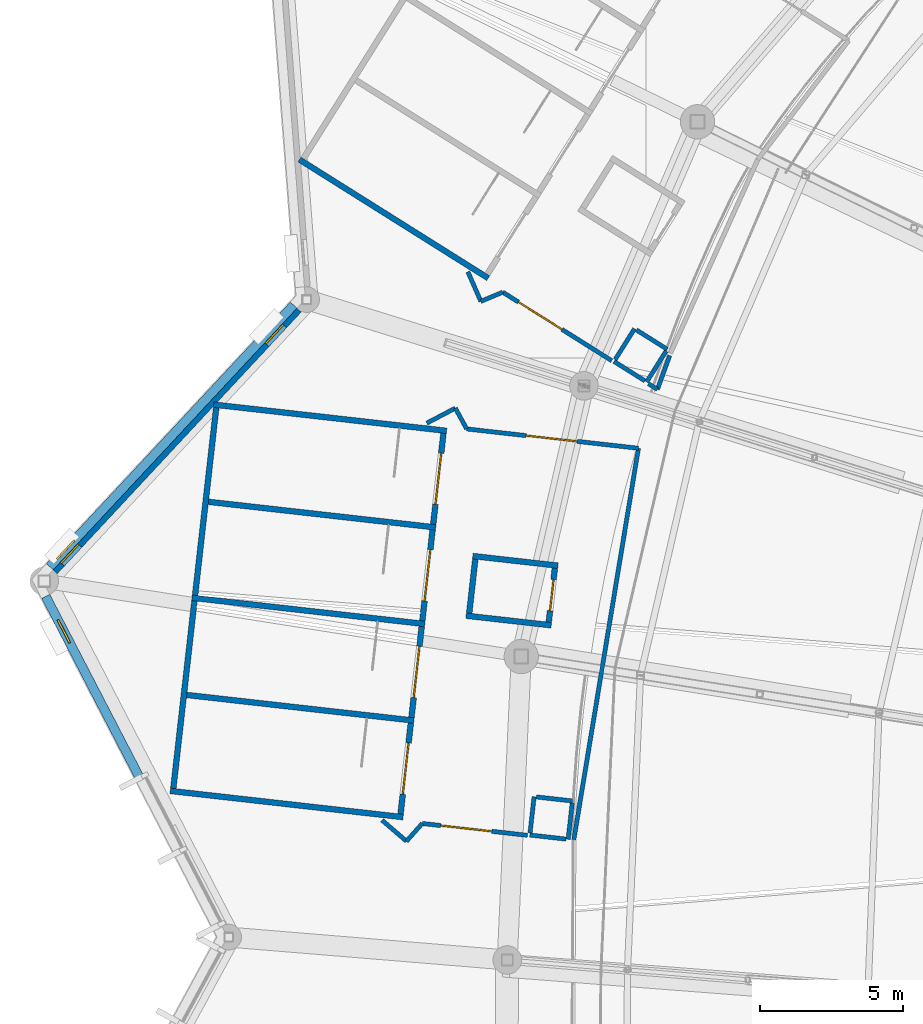
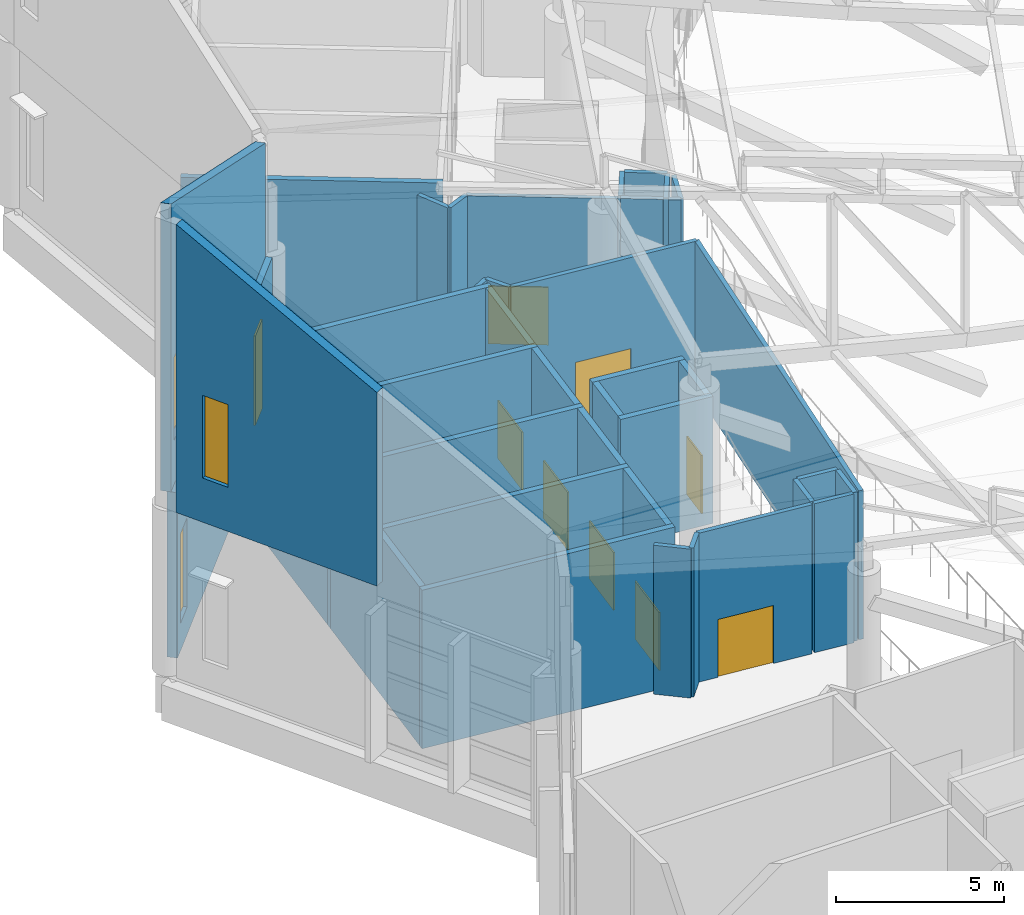
# One storey, part 262 of 344: 39 walls, 8 doors, 4 windows, 12 openings.
"""IFC4 building model written with IfcOpenShell, lengths in metres."""

from ifc_helpers import new_model, si_unit, direction, frame, frame_2d, origin, place, context, subcontext, project, spatial, polyline, rectangle, outline, extrude, material, layer, layer_set, type_object, element, fill, save


model = new_model("IFC4")

# Units and contexts
model_context = context("Model", 3, precision=1e-05, world=origin(), true_north=direction((0.0, 1.0)))
body_context = subcontext(model_context, "Body", "Model", "MODEL_VIEW")
ifc_project = project(units=[si_unit("LENGTHUNIT", "METRE"), si_unit("AREAUNIT", "SQUARE_METRE"), si_unit("VOLUMEUNIT", "CUBIC_METRE"), si_unit("PLANEANGLEUNIT", "RADIAN"), si_unit("MASSUNIT", "GRAM", prefix="KILO")], contexts=[model_context])

# Site, building, storey
site_placement = place(None, origin())
site = spatial("IfcSite", under=ifc_project, at=site_placement, CompositionType="ELEMENT")
building_placement = place(site_placement, origin())
building = spatial("IfcBuilding", under=site, at=building_placement, Name="Meseta Stadium", CompositionType="ELEMENT")
storey_placement = place(building_placement, frame((0.0, 0.0, 24.0)))
storey = spatial("IfcBuildingStorey", under=building, at=storey_placement, Name="L04", CompositionType="ELEMENT", Elevation=24.0)

# Walls
ifc_material_1 = material(Name="Concrete C40/50", Category="concrete")
ifc_layer_1 = layer(ifc_material_1, 0.199951171875)
ifc_layer_set_1 = layer_set([ifc_layer_1], Name="Core divider wall 200")
wall_type_1 = type_object("IfcWallType", Name="Core divider wall 200", PredefinedType="SHEAR", material=ifc_layer_set_1)
wall_1_placement = place(storey_placement, frame((-95.503662109375, 58.999267578125, 0.0), z_axis=(0.0, 0.0, 1.0), x_axis=(0.993710792168, -0.111977058046, 0.0)))
element("IfcWall", 1, at=wall_1_placement, inside=storey, type_object=wall_type_1, Name="Core 15 L04 stair A divider wall", PredefinedType="SHEAR", context=body_context, shape_type="SweptSolid", body=[
    extrude(rectangle(XDim=8.199951171875, YDim=0.199951171875, at=frame_2d((4.10009765625, 0.0))), origin(), (0.0, 0.0, 1.0), 5.75),
])
wall_2_placement = place(storey_placement, frame((-96.264892578125, 52.241943359375, 0.0), z_axis=(0.0, 0.0, 1.0), x_axis=(0.993713731549, -0.111950970206, 0.0)))
element("IfcWall", 2, at=wall_2_placement, inside=storey, type_object=wall_type_1, Name="Core 15 L04 stair B divider wall", PredefinedType="SHEAR", context=body_context, shape_type="SweptSolid", body=[
    extrude(rectangle(XDim=8.19970703125, YDim=0.199951171875, at=frame_2d((4.099853515625, 0.0))), origin(), (0.0, 0.0, 1.0), 5.75),
])
ifc_material_2 = material(Name="Concrete C40/50", Category="concrete")
ifc_layer_2 = layer(ifc_material_2, 0.199951171875)
ifc_layer_set_2 = layer_set([ifc_layer_2], Name="Core shaft wall 200")
wall_type_2 = type_object("IfcWallType", Name="Core shaft wall 200", PredefinedType="SHEAR", material=ifc_layer_set_2)
wall_3_placement = place(storey_placement, frame((-92.123291015625, 70.9501953125, 0.0), z_axis=(0.0, 0.0, 1.0), x_axis=(0.846722763703, -0.532034361135, 0.0)))
element("IfcWall", 3, at=wall_3_placement, inside=storey, type_object=wall_type_2, Name="Core 14 L04 stair wall B-side", PredefinedType="SHEAR", context=body_context, shape_type="SweptSolid", body=[
    extrude(rectangle(XDim=7.800048828125, YDim=0.199951171875, at=frame_2d((3.89990234375, 0.0))), origin(), (0.0, 0.0, 1.0), 5.75),
])
wall_4_placement = place(storey_placement, frame((-95.123046875, 62.3779296875, 0.0), z_axis=(0.0, 0.0, 1.0), x_axis=(0.993710792168, -0.111977058046, 0.0)))
element("IfcWall", 4, at=wall_4_placement, inside=storey, type_object=wall_type_2, Name="Core 15 L04 stair wall A-side", PredefinedType="SHEAR", context=body_context, shape_type="SweptSolid", body=[
    extrude(rectangle(XDim=8.199951171875, YDim=0.199951171875, at=frame_2d((4.10009765625, 0.0))), origin(), (0.0, 0.0, 1.0), 5.75),
])
wall_5_placement = place(storey_placement, frame((-95.884521484375, 55.62060546875, 0.0), z_axis=(0.0, 0.0, 1.0), x_axis=(0.993711165474, -0.111973745194, 0.0)))
element("IfcWall", 5, at=wall_5_placement, inside=storey, type_object=wall_type_2, Name="Core 15 L04 stair wall shared", PredefinedType="SHEAR", context=body_context, shape_type="SweptSolid", body=[
    extrude(rectangle(XDim=8.2001953125, YDim=0.199951171875, at=frame_2d((4.10009765625, 0.0))), origin(), (0.0, 0.0, 1.0), 5.75),
])
wall_6_placement = place(storey_placement, frame((-96.645751953125, 48.86328125, 0.0), z_axis=(0.0, 0.0, 1.0), x_axis=(0.993714104693, -0.111947658007, 0.0)))
element("IfcWall", 6, at=wall_6_placement, inside=storey, type_object=wall_type_2, Name="Core 15 L04 stair wall B-side", PredefinedType="SHEAR", context=body_context, shape_type="SweptSolid", body=[
    extrude(rectangle(XDim=8.199951171875, YDim=0.199951171875, at=frame_2d((4.10009765625, 0.0))), origin(), (0.0, 0.0, 1.0), 5.75),
])
for number, where, z_axis, x_axis, name in (
    (7, (-95.034912109375, 62.267333984375, 0.0), (0.0, 0.0, 1.0), (-0.111933579504, -0.993715690617, 0.0), "Core 15 L04 stair A outer end wall"),
    (8, (-95.796142578125, 55.510009765625, 0.0), (0.0, 0.0, 1.0), (-0.111970106426, -0.993711575492, 0.0), "Core 15 L04 stair B outer end wall"),
):
    element("IfcWall", number, at=place(storey_placement, frame(where, z_axis=z_axis, x_axis=x_axis)), inside=storey, type_object=wall_type_2, Name=name, PredefinedType="SHEAR", context=body_context, shape_type="SweptSolid", body=[
        extrude(rectangle(XDim=6.60009765625, YDim=0.199951171875, at=frame_2d((3.300048828125, 0.0))), origin(), (0.0, 0.0, 1.0), 5.75),
    ])

# Wall, opening, door
wall_7_placement = place(storey_placement, frame((-87.085205078125, 61.37158203125, 0.0), z_axis=(0.0, 0.0, 1.0), x_axis=(-0.11192190762, -0.993717005286, 0.0)))
wall_7 = element("IfcWall", 9, at=wall_7_placement, inside=storey, type_object=wall_type_2, Name="Core 15 L04 stair A1 inner end wall", PredefinedType="SHEAR", context=body_context, shape_type="SweptSolid", body=[
    extrude(rectangle(XDim=3.199951171875, YDim=0.199951171875, at=frame_2d((1.60009765625, 0.0))), origin(), (0.0, 0.0, 1.0), 5.75),
])
opening_1_placement = place(wall_7_placement, frame((0.699951171875, 0.0, 0.0)))
opening_1 = element("IfcOpeningElement", 10, at=opening_1_placement, cuts=wall_7, Name="Opening D1523", PredefinedType="OPENING", context=body_context, shape_type="SweptSolid", body=[
    extrude(rectangle(XDim=1.800048828125, YDim=2.10009765625, at=frame_2d((0.89990234375, 1.050048828125))), frame((0.0, 0.10986328125, 0.0), z_axis=(0.0, -1.0, 0.0), x_axis=(1.0, 0.0, 0.0)), (0.0, 0.0, 1.0), 0.219970703125),
])
ifc_material_3 = material(Name="Steel", Category="steel")
door_type_1 = type_object("IfcDoorType", Name="Stair door 1800x2100", OperationType="DOUBLE_DOOR_SINGLE_SWING", PredefinedType="DOOR", material=ifc_material_3)
door_1_placement = place(opening_1_placement, origin())
door_1 = element("IfcDoor", 11, at=door_1_placement, inside=storey, type_object=door_type_1, Name="Stair A1 door 15 L04", OperationType="DOUBLE_DOOR_SINGLE_SWING", OverallHeight=2.10009765625, OverallWidth=1.800048828125, PredefinedType="DOOR", context=body_context, shape_type="SweptSolid", body=[
    extrude(rectangle(XDim=1.800048828125, YDim=2.10009765625, at=frame_2d((0.89990234375, 1.050048828125))), frame((0.0, 0.02490234375, 0.0), z_axis=(0.0, -1.0, 0.0), x_axis=(1.0, 0.0, 0.0)), (0.0, 0.0, 1.0), 0.050048828125),
])
fill(opening_1, door_1)

wall_8_placement = place(storey_placement, frame((-87.4658203125, 57.992919921875, 0.0), z_axis=(0.0, 0.0, 1.0), x_axis=(-0.111997244021, -0.993708517288, 0.0)))
wall_8 = element("IfcWall", 12, at=wall_8_placement, inside=storey, type_object=wall_type_2, Name="Core 15 L04 stair A2 inner end wall", PredefinedType="SHEAR", context=body_context, shape_type="SweptSolid", body=[
    extrude(rectangle(XDim=3.199951171875, YDim=0.199951171875, at=frame_2d((1.60009765625, 0.0))), origin(), (0.0, 0.0, 1.0), 5.75),
])
opening_2_placement = place(wall_8_placement, frame((0.699951171875, 0.0, 0.0)))
opening_2 = element("IfcOpeningElement", 13, at=opening_2_placement, cuts=wall_8, Name="Opening D1521", PredefinedType="OPENING", context=body_context, shape_type="SweptSolid", body=[
    extrude(rectangle(XDim=1.800048828125, YDim=2.10009765625, at=frame_2d((0.89990234375, 1.050048828125))), frame((0.0, 0.10986328125, 0.0), z_axis=(0.0, -1.0, 0.0), x_axis=(1.0, 0.0, 0.0)), (0.0, 0.0, 1.0), 0.219970703125),
])
door_2_placement = place(opening_2_placement, origin())
door_2 = element("IfcDoor", 14, at=door_2_placement, inside=storey, type_object=door_type_1, Name="Stair A2 door 15 L04", OperationType="DOUBLE_DOOR_SINGLE_SWING", OverallHeight=2.10009765625, OverallWidth=1.800048828125, PredefinedType="DOOR", context=body_context, shape_type="SweptSolid", body=[
    extrude(rectangle(XDim=1.800048828125, YDim=2.10009765625, at=frame_2d((0.89990234375, 1.050048828125))), frame((0.0, 0.02490234375, 0.0), z_axis=(0.0, -1.0, 0.0), x_axis=(1.0, 0.0, 0.0)), (0.0, 0.0, 1.0), 0.050048828125),
])
fill(opening_2, door_2)

wall_9_placement = place(storey_placement, frame((-87.846435546875, 54.6142578125, 0.0), z_axis=(0.0, 0.0, 1.0), x_axis=(-0.112005735442, -0.993707560215, 0.0)))
wall_9 = element("IfcWall", 15, at=wall_9_placement, inside=storey, type_object=wall_type_2, Name="Core 15 L04 stair B1 inner end wall", PredefinedType="SHEAR", context=body_context, shape_type="SweptSolid", body=[
    extrude(rectangle(XDim=3.19970703125, YDim=0.199951171875, at=frame_2d((1.599853515625, 0.0))), origin(), (0.0, 0.0, 1.0), 5.75),
])
opening_3_placement = place(wall_9_placement, frame((0.699951171875, 0.0, 0.0)))
opening_3 = element("IfcOpeningElement", 16, at=opening_3_placement, cuts=wall_9, Name="Opening D1520", PredefinedType="OPENING", context=body_context, shape_type="SweptSolid", body=[
    extrude(rectangle(XDim=1.800048828125, YDim=2.10009765625, at=frame_2d((0.89990234375, 1.050048828125))), frame((0.0, 0.10986328125, 0.0), z_axis=(0.0, -1.0, 0.0), x_axis=(1.0, 0.0, 0.0)), (0.0, 0.0, 1.0), 0.219970703125),
])
door_3_placement = place(opening_3_placement, origin())
door_3 = element("IfcDoor", 17, at=door_3_placement, inside=storey, type_object=door_type_1, Name="Stair B1 door 15 L04", OperationType="DOUBLE_DOOR_SINGLE_SWING", OverallHeight=2.10009765625, OverallWidth=1.800048828125, PredefinedType="DOOR", context=body_context, shape_type="SweptSolid", body=[
    extrude(rectangle(XDim=1.800048828125, YDim=2.10009765625, at=frame_2d((0.89990234375, 1.050048828125))), frame((0.0, 0.02490234375, 0.0), z_axis=(0.0, -1.0, 0.0), x_axis=(1.0, 0.0, 0.0)), (0.0, 0.0, 1.0), 0.050048828125),
])
fill(opening_3, door_3)

wall_10_placement = place(storey_placement, frame((-88.227294921875, 51.235595703125, 0.0), z_axis=(0.0, 0.0, 1.0), x_axis=(-0.111930393474, -0.993716049491, 0.0)))
wall_10 = element("IfcWall", 18, at=wall_10_placement, inside=storey, type_object=wall_type_2, Name="Core 15 L04 stair B2 inner end wall", PredefinedType="SHEAR", context=body_context, shape_type="SweptSolid", body=[
    extrude(rectangle(XDim=3.19970703125, YDim=0.199951171875, at=frame_2d((1.599853515625, 0.0))), origin(), (0.0, 0.0, 1.0), 5.75),
])
opening_4_placement = place(wall_10_placement, frame((0.699951171875, 0.0, 0.0)))
opening_4 = element("IfcOpeningElement", 19, at=opening_4_placement, cuts=wall_10, Name="Opening D1518", PredefinedType="OPENING", context=body_context, shape_type="SweptSolid", body=[
    extrude(rectangle(XDim=1.800048828125, YDim=2.10009765625, at=frame_2d((0.89990234375, 1.050048828125))), frame((0.0, 0.10986328125, 0.0), z_axis=(0.0, -1.0, 0.0), x_axis=(1.0, 0.0, 0.0)), (0.0, 0.0, 1.0), 0.219970703125),
])
door_4_placement = place(opening_4_placement, origin())
door_4 = element("IfcDoor", 20, at=door_4_placement, inside=storey, type_object=door_type_1, Name="Stair B2 door 15 L04", OperationType="DOUBLE_DOOR_SINGLE_SWING", OverallHeight=2.10009765625, OverallWidth=1.800048828125, PredefinedType="DOOR", context=body_context, shape_type="SweptSolid", body=[
    extrude(rectangle(XDim=1.800048828125, YDim=2.10009765625, at=frame_2d((0.89990234375, 1.050048828125))), frame((0.0, 0.02490234375, 0.0), z_axis=(0.0, -1.0, 0.0), x_axis=(1.0, 0.0, 0.0)), (0.0, 0.0, 1.0), 0.050048828125),
])
fill(opening_4, door_4)

# Walls
for number, where, z_axis, x_axis, name in (
    (21, (-86.05908203125, 57.07958984375, 0.0), (0.0, 0.0, 1.0), (0.993718878013, -0.111905279056, 0.0), "Core 15 L04 lift shaft wall left"),
    (22, (-86.294189453125, 54.992919921875, 0.0), (0.0, 0.0, 1.0), (0.993709824566, -0.111985644439, 0.0), "Core 15 L04 lift shaft wall right"),
):
    element("IfcWall", number, at=place(storey_placement, frame(where, z_axis=z_axis, x_axis=x_axis)), inside=storey, type_object=wall_type_2, Name=name, PredefinedType="SHEAR", context=body_context, shape_type="SweptSolid", body=[
        extrude(rectangle(XDim=2.999755859375, YDim=0.199951171875, at=frame_2d((1.5, 0.0))), origin(), (0.0, 0.0, 1.0), 4.60009765625),
    ])
wall_11_placement = place(storey_placement, frame((-85.970947265625, 56.96923828125, 0.0), z_axis=(0.0, 0.0, 1.0), x_axis=(-0.112039012324, -0.993703808847, 0.0)))
element("IfcWall", 23, at=wall_11_placement, inside=storey, type_object=wall_type_2, Name="Core 15 L04 lift shaft back wall", PredefinedType="SHEAR", context=body_context, shape_type="SweptSolid", body=[
    extrude(rectangle(XDim=1.900146484375, YDim=0.199951171875, at=frame_2d((0.9501953125, 0.0))), origin(), (0.0, 0.0, 1.0), 4.60009765625),
])

# Wall, opening, door
wall_12_placement = place(storey_placement, frame((-83.188720703125, 56.65576171875, 0.0), z_axis=(0.0, 0.0, 1.0), x_axis=(-0.11191213732, -0.993718105662, 0.0)))
wall_12 = element("IfcWall", 24, at=wall_12_placement, inside=storey, type_object=wall_type_2, Name="Core 15 L04 lift shaft front wall", PredefinedType="SHEAR", context=body_context, shape_type="SweptSolid", body=[
    extrude(rectangle(XDim=1.900146484375, YDim=0.199951171875, at=frame_2d((0.9501953125, 0.0))), origin(), (0.0, 0.0, 1.0), 4.60009765625),
])
opening_5_placement = place(wall_12_placement, frame((0.39990234375, 0.0, 0.0)))
opening_5 = element("IfcOpeningElement", 25, at=opening_5_placement, cuts=wall_12, Name="Opening LD84", PredefinedType="OPENING", context=body_context, shape_type="SweptSolid", body=[
    extrude(rectangle(XDim=1.10009765625, YDim=2.10009765625, at=frame_2d((0.550048828125, 1.050048828125))), frame((0.0, 0.10986328125, 0.0), z_axis=(0.0, -1.0, 0.0), x_axis=(1.0, 0.0, 0.0)), (0.0, 0.0, 1.0), 0.219970703125),
])
ifc_material_4 = material(Name="Steel", Category="steel")
door_type_2 = type_object("IfcDoorType", Name="Lift landing door 1100x2100", OperationType="SLIDING_TO_LEFT", PredefinedType="DOOR", material=ifc_material_4)
door_5_placement = place(opening_5_placement, origin())
door_5 = element("IfcDoor", 26, at=door_5_placement, inside=storey, type_object=door_type_2, Name="Lift landing door LD84", OperationType="SLIDING_TO_RIGHT", OverallHeight=2.10009765625, OverallWidth=1.10009765625, PredefinedType="DOOR", context=body_context, shape_type="SweptSolid", body=[
    extrude(rectangle(XDim=1.10009765625, YDim=2.10009765625, at=frame_2d((0.550048828125, 1.050048828125))), frame((0.0, 0.02490234375, 0.0), z_axis=(0.0, -1.0, 0.0), x_axis=(1.0, 0.0, 0.0)), (0.0, 0.0, 1.0), 0.050048828125),
])
fill(opening_5, door_5)

# Walls
ifc_material_5 = material(Name="Masonry blockwork", Category="masonry")
ifc_layer_3 = layer(ifc_material_5, 0.14990234375)
ifc_layer_set_3 = layer_set([ifc_layer_3], Name="Partition 150")
wall_type_3 = type_object("IfcWallType", Name="Partition 150", PredefinedType="PARTITIONING", material=ifc_layer_set_3)
for number, where, z_axis, x_axis, name in (
    (27, (-80.400634765625, 65.03125, 0.0), (0.0, 0.0, 1.0), (-0.532097038765, -0.846683377265, 0.0), "Pressurisation shaft wall L04 core 14"),
    (28, (-81.118896484375, 63.88818359375, 0.0), (0.0, 0.0, 1.0), (0.846683377265, -0.532097038765, 0.0), "Pressurisation shaft wall L04 core 14"),
):
    element("IfcWall", number, at=place(storey_placement, frame(where, z_axis=z_axis, x_axis=x_axis)), inside=storey, type_object=wall_type_3, Name=name, PredefinedType="PARTITIONING", context=body_context, shape_type="SweptSolid", body=[
        extrude(rectangle(XDim=1.275146484375, YDim=0.14990234375, at=frame_2d((0.6376953125, 0.0))), origin(), (0.0, 0.0, 1.0), 5.39990234375),
    ])
for number, where, z_axis, x_axis, name in (
    (29, (-79.975830078125, 63.169921875, 0.0), (0.0, 0.0, 1.0), (0.531959757672, 0.846769635862, 0.0), "Pressurisation shaft wall L04 core 14"),
    (30, (-79.257568359375, 64.31298828125, 0.0), (0.0, 0.0, 1.0), (-0.846769635862, 0.531959757672, 0.0), "Pressurisation shaft wall L04 core 14"),
):
    element("IfcWall", number, at=place(storey_placement, frame(where, z_axis=z_axis, x_axis=x_axis)), inside=storey, type_object=wall_type_3, Name=name, PredefinedType="PARTITIONING", context=body_context, shape_type="SweptSolid", body=[
        extrude(rectangle(XDim=1.27490234375, YDim=0.14990234375, at=frame_2d((0.637451171875, 0.0))), origin(), (0.0, 0.0, 1.0), 5.39990234375),
    ])
wall_13_placement = place(storey_placement, frame((-86.22900390625, 67.022705078125, 0.0), z_axis=(0.0, 0.0, 1.0), x_axis=(0.401170879934, -0.916003234215, 0.0)))
element("IfcWall", 31, at=wall_13_placement, inside=storey, type_object=wall_type_3, Name="Stair vestibule wall L04 core 14", PredefinedType="PARTITIONING", context=body_context, shape_type="SweptSolid", body=[
    extrude(rectangle(XDim=1.127685546875, YDim=0.14990234375, at=frame_2d((0.56396484375, 0.0))), origin(), (0.0, 0.0, 1.0), 5.39990234375),
])
wall_14_placement = place(storey_placement, frame((-85.776611328125, 65.98974609375, 0.0), z_axis=(0.0, 0.0, 1.0), x_axis=(0.922414184809, 0.386202112453, 0.0)))
element("IfcWall", 32, at=wall_14_placement, inside=storey, type_object=wall_type_3, Name="Stair vestibule wall L04 core 14", PredefinedType="PARTITIONING", context=body_context, shape_type="SweptSolid", body=[
    extrude(rectangle(XDim=0.830078125, YDim=0.14990234375, at=frame_2d((0.4150390625, 0.0))), origin(), (0.0, 0.0, 1.0), 5.39990234375),
])

# Wall, opening, door
wall_15_placement = place(storey_placement, frame((-85.010986328125, 66.310302734375, 0.0), z_axis=(0.0, 0.0, 1.0), x_axis=(0.846686094665, -0.532092714761, 0.0)))
wall_15 = element("IfcWall", 33, at=wall_15_placement, inside=storey, type_object=wall_type_3, Name="Stair vestibule wall L04 core 14", PredefinedType="PARTITIONING", context=body_context, shape_type="SweptSolid", body=[
    extrude(rectangle(XDim=4.50341796875, YDim=0.14990234375, at=frame_2d((2.251708984375, 0.0))), origin(), (0.0, 0.0, 1.0), 5.39990234375),
])
opening_6_placement = place(wall_15_placement, frame((0.64990234375, 0.0, 0.0)))
opening_6 = element("IfcOpeningElement", 34, at=opening_6_placement, cuts=wall_15, Name="Opening D1538", PredefinedType="OPENING", context=body_context, shape_type="SweptSolid", body=[
    extrude(rectangle(XDim=1.800048828125, YDim=2.10009765625, at=frame_2d((0.89990234375, 1.050048828125))), frame((0.0, 0.0849609375, 0.0), z_axis=(0.0, -1.0, 0.0), x_axis=(1.0, 0.0, 0.0)), (0.0, 0.0, 1.0), 0.169921875),
])
ifc_material_6 = material(Name="Steel", Category="steel")
door_type_3 = type_object("IfcDoorType", Name="Fire double door 1800x2100 EI2 60", OperationType="DOUBLE_DOOR_SINGLE_SWING", PredefinedType="DOOR", material=ifc_material_6)
door_6_placement = place(opening_6_placement, origin())
door_6 = element("IfcDoor", 35, at=door_6_placement, inside=storey, type_object=door_type_3, Name="Stair vestibule door L04 core 14", OperationType="DOUBLE_DOOR_SINGLE_SWING", OverallHeight=2.10009765625, OverallWidth=1.800048828125, PredefinedType="DOOR", context=body_context, shape_type="SweptSolid", body=[
    extrude(rectangle(XDim=1.800048828125, YDim=2.10009765625, at=frame_2d((0.89990234375, 1.050048828125))), frame((0.0, 0.02490234375, 0.0), z_axis=(0.0, -1.0, 0.0), x_axis=(1.0, 0.0, 0.0)), (0.0, 0.0, 1.0), 0.050048828125),
])
fill(opening_6, door_6)

# Walls
wall_16_placement = place(storey_placement, frame((-79.91455078125, 63.107666015625, 0.0), z_axis=(0.0, 0.0, 1.0), x_axis=(0.846738245251, -0.532009721744, 0.0)))
element("IfcWall", 36, at=wall_16_placement, inside=storey, type_object=wall_type_3, Name="Stair vestibule wall L04 core 14", PredefinedType="PARTITIONING", context=body_context, shape_type="SweptSolid", body=[
    extrude(rectangle(XDim=0.370849609375, YDim=0.14990234375, at=frame_2d((0.185546875, 0.0))), origin(), (0.0, 0.0, 1.0), 5.39990234375),
])
wall_17_placement = place(storey_placement, frame((-79.6005859375, 62.910400390625, 0.0), z_axis=(0.0, 0.0, 1.0), x_axis=(0.341400782583, 0.939917818563, 0.0)))
element("IfcWall", 37, at=wall_17_placement, inside=storey, type_object=wall_type_3, Name="Stair vestibule wall L04 core 14", PredefinedType="PARTITIONING", context=body_context, shape_type="SweptSolid", body=[
    extrude(rectangle(XDim=1.260009765625, YDim=0.14990234375, at=frame_2d((0.6298828125, 0.0))), origin(), (0.0, 0.0, 1.0), 5.39990234375),
])
for number, where, z_axis, x_axis, name in (
    (38, (-83.913330078125, 48.66162109375, 0.0), (0.0, 0.0, 1.0), (-0.111818407645, -0.993728656984, 0.0), "Pressurisation shaft wall L04 core 15"),
    (39, (-84.064453125, 47.320068359375, 0.0), (0.0, 0.0, 1.0), (0.993707363865, -0.11200747743, 0.0), "Pressurisation shaft wall L04 core 15"),
):
    element("IfcWall", number, at=place(storey_placement, frame(where, z_axis=z_axis, x_axis=x_axis)), inside=storey, type_object=wall_type_3, Name=name, PredefinedType="PARTITIONING", context=body_context, shape_type="SweptSolid", body=[
        extrude(rectangle(XDim=1.275146484375, YDim=0.14990234375, at=frame_2d((0.6376953125, 0.0))), origin(), (0.0, 0.0, 1.0), 5.39990234375),
    ])
for number, where, z_axis, x_axis, name in (
    (40, (-82.722900390625, 47.1689453125, 0.0), (0.0, 0.0, 1.0), (0.112028792108, 0.993704961112, 0.0), "Pressurisation shaft wall L04 core 15"),
    (41, (-82.57177734375, 48.510498046875, 0.0), (0.0, 0.0, 1.0), (-0.993726262285, 0.111839687257, 0.0), "Pressurisation shaft wall L04 core 15"),
):
    element("IfcWall", number, at=place(storey_placement, frame(where, z_axis=z_axis, x_axis=x_axis)), inside=storey, type_object=wall_type_3, Name=name, PredefinedType="PARTITIONING", context=body_context, shape_type="SweptSolid", body=[
        extrude(rectangle(XDim=1.27490234375, YDim=0.14990234375, at=frame_2d((0.637451171875, 0.0))), origin(), (0.0, 0.0, 1.0), 5.39990234375),
    ])
wall_18_placement = place(storey_placement, frame((-89.233642578125, 47.83740234375, 0.0), z_axis=(0.0, 0.0, 1.0), x_axis=(0.758950911089, -0.651147843855, 0.0)))
element("IfcWall", 42, at=wall_18_placement, inside=storey, type_object=wall_type_3, Name="Stair vestibule wall L04 core 15", PredefinedType="PARTITIONING", context=body_context, shape_type="SweptSolid", body=[
    extrude(rectangle(XDim=1.1279296875, YDim=0.14990234375, at=frame_2d((0.56396484375, 0.0))), origin(), (0.0, 0.0, 1.0), 5.39990234375),
])
wall_19_placement = place(storey_placement, frame((-88.377685546875, 47.10302734375, 0.0), z_axis=(0.0, 0.0, 1.0), x_axis=(0.66330376879, 0.748350259109, 0.0)))
element("IfcWall", 43, at=wall_19_placement, inside=storey, type_object=wall_type_3, Name="Stair vestibule wall L04 core 15", PredefinedType="PARTITIONING", context=body_context, shape_type="SweptSolid", body=[
    extrude(rectangle(XDim=0.82958984375, YDim=0.14990234375, at=frame_2d((0.414794921875, 0.0))), origin(), (0.0, 0.0, 1.0), 5.39990234375),
])

# Wall, opening, door
wall_20_placement = place(storey_placement, frame((-87.827392578125, 47.723876953125, 0.0), z_axis=(0.0, 0.0, 1.0), x_axis=(0.993708869306, -0.11199412066, 0.0)))
wall_20 = element("IfcWall", 44, at=wall_20_placement, inside=storey, type_object=wall_type_3, Name="Stair vestibule wall L04 core 15", PredefinedType="PARTITIONING", context=body_context, shape_type="SweptSolid", body=[
    extrude(rectangle(XDim=3.70361328125, YDim=0.14990234375, at=frame_2d((1.851806640625, 0.0))), origin(), (0.0, 0.0, 1.0), 5.39990234375),
])
opening_7_placement = place(wall_20_placement, frame((0.64990234375, 0.0, 0.0)))
opening_7 = element("IfcOpeningElement", 45, at=opening_7_placement, cuts=wall_20, Name="Opening D1527", PredefinedType="OPENING", context=body_context, shape_type="SweptSolid", body=[
    extrude(rectangle(XDim=1.800048828125, YDim=2.10009765625, at=frame_2d((0.89990234375, 1.050048828125))), frame((0.0, 0.0849609375, 0.0), z_axis=(0.0, -1.0, 0.0), x_axis=(1.0, 0.0, 0.0)), (0.0, 0.0, 1.0), 0.169921875),
])
door_7_placement = place(opening_7_placement, origin())
door_7 = element("IfcDoor", 46, at=door_7_placement, inside=storey, type_object=door_type_3, Name="Stair vestibule door L04 core 15", OperationType="DOUBLE_DOOR_SINGLE_SWING", OverallHeight=2.10009765625, OverallWidth=1.800048828125, PredefinedType="DOOR", context=body_context, shape_type="SweptSolid", body=[
    extrude(rectangle(XDim=1.800048828125, YDim=2.10009765625, at=frame_2d((0.89990234375, 1.050048828125))), frame((0.0, 0.02490234375, 0.0), z_axis=(0.0, -1.0, 0.0), x_axis=(1.0, 0.0, 0.0)), (0.0, 0.0, 1.0), 0.050048828125),
])
fill(opening_7, door_7)

# Wall
wall_21_placement = place(storey_placement, frame((-82.52490234375, 47.15771484375, 0.0), z_axis=(0.0, 0.0, 1.0), x_axis=(0.162926716645, 0.986638173295, 0.0)))
element("IfcWall", 47, at=wall_21_placement, inside=storey, type_object=wall_type_3, Name="Stair vestibule wall L04 core 15", PredefinedType="PARTITIONING", context=body_context, shape_type="SweptSolid", body=[
    extrude(rectangle(XDim=13.87744140625, YDim=0.14990234375, at=frame_2d((6.938720703125, 0.0))), origin(), (0.0, 0.0, 1.0), 5.39990234375),
])

# Wall, opening, door
wall_22_placement = place(storey_placement, frame((-80.263916015625, 60.849609375, 0.0), z_axis=(0.0, 0.0, 1.0), x_axis=(-0.993711169243, 0.111973711744, 0.0)))
wall_22 = element("IfcWall", 48, at=wall_22_placement, inside=storey, type_object=wall_type_3, Name="Stair vestibule wall L04 core 15", PredefinedType="PARTITIONING", context=body_context, shape_type="SweptSolid", body=[
    extrude(rectangle(XDim=6.046142578125, YDim=0.14990234375, at=frame_2d((3.02294921875, 0.0))), origin(), (0.0, 0.0, 1.0), 5.39990234375),
])
opening_8_placement = place(wall_22_placement, frame((2.14990234375, 0.0, 0.0)))
opening_8 = element("IfcOpeningElement", 49, at=opening_8_placement, cuts=wall_22, Name="Opening D1539", PredefinedType="OPENING", context=body_context, shape_type="SweptSolid", body=[
    extrude(rectangle(XDim=1.800048828125, YDim=2.10009765625, at=frame_2d((0.89990234375, 1.050048828125))), frame((0.0, 0.0849609375, 0.0), z_axis=(0.0, -1.0, 0.0), x_axis=(1.0, 0.0, 0.0)), (0.0, 0.0, 1.0), 0.169921875),
])
door_8_placement = place(opening_8_placement, origin())
door_8 = element("IfcDoor", 50, at=door_8_placement, inside=storey, type_object=door_type_3, Name="Stair vestibule door L04 core 15", OperationType="DOUBLE_DOOR_SINGLE_SWING", OverallHeight=2.10009765625, OverallWidth=1.800048828125, PredefinedType="DOOR", context=body_context, shape_type="SweptSolid", body=[
    extrude(rectangle(XDim=1.800048828125, YDim=2.10009765625, at=frame_2d((0.89990234375, 1.050048828125))), frame((0.0, 0.02490234375, 0.0), z_axis=(0.0, -1.0, 0.0), x_axis=(1.0, 0.0, 0.0)), (0.0, 0.0, 1.0), 0.050048828125),
])
fill(opening_8, door_8)

# Walls
wall_23_placement = place(storey_placement, frame((-86.27197265625, 61.526611328125, 0.0), z_axis=(0.0, 0.0, 1.0), x_axis=(-0.480336186773, 0.877084458691, 0.0)))
element("IfcWall", 51, at=wall_23_placement, inside=storey, type_object=wall_type_3, Name="Stair vestibule wall L04 core 15", PredefinedType="PARTITIONING", context=body_context, shape_type="SweptSolid", body=[
    extrude(rectangle(XDim=0.82958984375, YDim=0.14990234375, at=frame_2d((0.414794921875, 0.0))), origin(), (0.0, 0.0, 1.0), 5.39990234375),
])
wall_24_placement = place(storey_placement, frame((-86.67041015625, 62.254150390625, 0.0), z_axis=(0.0, 0.0, 1.0), x_axis=(-0.884880656279, -0.465817801446, 0.0)))
element("IfcWall", 52, at=wall_24_placement, inside=storey, type_object=wall_type_3, Name="Stair vestibule wall L04 core 15", PredefinedType="PARTITIONING", context=body_context, shape_type="SweptSolid", body=[
    extrude(rectangle(XDim=1.1279296875, YDim=0.14990234375, at=frame_2d((0.56396484375, 0.0))), origin(), (0.0, 0.0, 1.0), 5.39990234375),
])

# Wall, opening, window
ifc_material_7 = material(Name="White precast concrete C40/50", Category="concrete")
ifc_layer_4 = layer(ifc_material_7, 0.320068359375)
ifc_layer_set_4 = layer_set([ifc_layer_4], Name="Pleated fascia panel 320 raked")
wall_type_4 = type_object("IfcWallType", Name="Pleated fascia panel 320 raked", PredefinedType="SOLIDWALL", material=ifc_layer_set_4)
wall_25_placement = place(storey_placement, frame((-100.857421875, 56.70458984375, 6.0), z_axis=(0.0, 0.0, 1.0), x_axis=(0.681794658463, 0.731543603411, 0.0)))
wall_25 = element("IfcWall", 53, at=wall_25_placement, inside=storey, type_object=wall_type_4, Name="Pleated fascia panel L04 F27", PredefinedType="SOLIDWALL", context=body_context, shape_type="SweptSolid", body=[
    extrude(outline(polyline([(0.0, 0.0), (12.513916015625, 0.0), (12.513916015625, 4.116943359375), (0.0, 10.437744140625), (0.0, 0.0)])), frame((0.0, 0.16015625, 0.0), z_axis=(0.0, -1.0, 0.0), x_axis=(1.0, 0.0, 0.0)), (0.0, 0.0, 1.0), 0.320068359375),
])
opening_9_placement = place(wall_25_placement, frame((0.363525390625, 0.0, 1.60009765625)))
opening_9 = element("IfcOpeningElement", 54, at=opening_9_placement, cuts=wall_25, Name="Opening W194", PredefinedType="OPENING", context=body_context, shape_type="SweptSolid", body=[
    extrude(rectangle(XDim=0.89990234375, YDim=3.0, at=frame_2d((0.449951171875, 1.5))), frame((0.0, 0.169921875, 0.0), z_axis=(0.0, -1.0, 0.0), x_axis=(1.0, 0.0, 0.0)), (0.0, 0.0, 1.0), 0.340087890625),
])
ifc_material_8 = material(Name="Aluminium", Category="aluminium")
window_type_1 = type_object("IfcWindowType", Name="Slot window 900x3000", PartitioningType="SINGLE_PANEL", PredefinedType="WINDOW", material=ifc_material_8)
window_1_placement = place(opening_9_placement, origin())
window_1 = element("IfcWindow", 55, at=window_1_placement, inside=storey, type_object=window_type_1, Name="Slot window L04 F27.6", OverallHeight=3.0, OverallWidth=0.89990234375, PartitioningType="SINGLE_PANEL", PredefinedType="WINDOW", context=body_context, shape_type="SweptSolid", body=[
    extrude(rectangle(XDim=0.89990234375, YDim=3.0, at=frame_2d((0.449951171875, 1.5))), frame((0.0, 0.030029296875, 0.0), z_axis=(0.0, -1.0, 0.0), x_axis=(1.0, 0.0, 0.0)), (0.0, 0.0, 1.0), 0.06005859375),
])
fill(opening_9, window_1)

wall_26_placement = place(storey_placement, frame((-97.74462890625, 49.384765625, 6.0), z_axis=(0.0, 0.0, 1.0), x_axis=(-0.459989799354, 0.887924199743, 0.0)))
wall_26 = element("IfcWall", 56, at=wall_26_placement, inside=storey, type_object=wall_type_4, Name="Pleated fascia panel L04 F28", PredefinedType="SOLIDWALL", context=body_context, shape_type="SweptSolid", body=[
    extrude(outline(polyline([(0.0, 0.0), (7.075439453125, 0.0), (7.075439453125, 10.44775390625), (0.0, 7.01708984375), (0.0, 0.0)])), frame((0.0, 0.16015625, 0.0), z_axis=(0.0, -1.0, 0.0), x_axis=(1.0, 0.0, 0.0)), (0.0, 0.0, 1.0), 0.320068359375),
])
opening_10_placement = place(wall_26_placement, frame((5.250244140625, 0.0, 1.60009765625)))
opening_10 = element("IfcOpeningElement", 57, at=opening_10_placement, cuts=wall_26, Name="Opening W193", PredefinedType="OPENING", context=body_context, shape_type="SweptSolid", body=[
    extrude(rectangle(XDim=0.89990234375, YDim=3.0, at=frame_2d((0.449951171875, 1.5))), frame((0.0, 0.169921875, 0.0), z_axis=(0.0, -1.0, 0.0), x_axis=(1.0, 0.0, 0.0)), (0.0, 0.0, 1.0), 0.340087890625),
])
window_2_placement = place(opening_10_placement, origin())
window_2 = element("IfcWindow", 58, at=window_2_placement, inside=storey, type_object=window_type_1, Name="Slot window L04 F28.6", OverallHeight=3.0, OverallWidth=0.89990234375, PartitioningType="SINGLE_PANEL", PredefinedType="WINDOW", context=body_context, shape_type="SweptSolid", body=[
    extrude(rectangle(XDim=0.89990234375, YDim=3.0, at=frame_2d((0.449951171875, 1.5))), frame((0.0, 0.030029296875, 0.0), z_axis=(0.0, -1.0, 0.0), x_axis=(1.0, 0.0, 0.0)), (0.0, 0.0, 1.0), 0.06005859375),
])
fill(opening_10, window_2)

# Wall, openings, windows
ifc_material_9 = material(Name="White precast concrete C40/50", Category="concrete")
ifc_layer_5 = layer(ifc_material_9, 0.320068359375)
ifc_layer_set_5 = layer_set([ifc_layer_5], Name="Pleated panel wall 320")
wall_type_5 = type_object("IfcWallType", Name="Pleated panel wall 320", PredefinedType="SOLIDWALL", material=ifc_layer_set_5)
wall_27_placement = place(storey_placement, frame((-100.711181640625, 56.568115234375, 0.0), z_axis=(0.0, 0.0, 1.0), x_axis=(0.681794658463, 0.731543603411, 0.0)))
wall_27 = element("IfcWall", 59, at=wall_27_placement, inside=storey, type_object=wall_type_5, Name="Pleated facade panel L04 F27", PredefinedType="SOLIDWALL", context=body_context, shape_type="SweptSolid", body=[
    extrude(rectangle(XDim=12.513916015625, YDim=0.320068359375, at=frame_2d((6.2568359375, 0.0))), origin(), (0.0, 0.0, 1.0), 6.0),
])
opening_11_placement = place(wall_27_placement, frame((10.863525390625, 0.0, 1.0)))
opening_11 = element("IfcOpeningElement", 60, at=opening_11_placement, cuts=wall_27, Name="Opening W210", PredefinedType="OPENING", context=body_context, shape_type="SweptSolid", body=[
    extrude(rectangle(XDim=0.89990234375, YDim=3.25, at=frame_2d((0.449951171875, 1.625))), frame((0.0, 0.169921875, 0.0), z_axis=(0.0, -1.0, 0.0), x_axis=(1.0, 0.0, 0.0)), (0.0, 0.0, 1.0), 0.340087890625),
])
opening_12_placement = place(wall_27_placement, frame((0.363525390625, 0.0, 1.0)))
opening_12 = element("IfcOpeningElement", 61, at=opening_12_placement, cuts=wall_27, Name="Opening W195", PredefinedType="OPENING", context=body_context, shape_type="SweptSolid", body=[
    extrude(rectangle(XDim=0.89990234375, YDim=3.25, at=frame_2d((0.449951171875, 1.625))), frame((0.0, 0.169921875, 0.0), z_axis=(0.0, -1.0, 0.0), x_axis=(1.0, 0.0, 0.0)), (0.0, 0.0, 1.0), 0.340087890625),
])
ifc_material_10 = material(Name="Aluminium", Category="aluminium")
window_type_2 = type_object("IfcWindowType", Name="Slot window 900x3250", PartitioningType="SINGLE_PANEL", PredefinedType="WINDOW", material=ifc_material_10)
window_3_placement = place(opening_11_placement, origin())
window_3 = element("IfcWindow", 62, at=window_3_placement, inside=storey, type_object=window_type_2, Name="Slot window L04 F27.1", OverallHeight=3.25, OverallWidth=0.89990234375, PartitioningType="SINGLE_PANEL", PredefinedType="WINDOW", context=body_context, shape_type="SweptSolid", body=[
    extrude(rectangle(XDim=0.89990234375, YDim=3.25, at=frame_2d((0.449951171875, 1.625))), frame((0.0, 0.030029296875, 0.0), z_axis=(0.0, -1.0, 0.0), x_axis=(1.0, 0.0, 0.0)), (0.0, 0.0, 1.0), 0.06005859375),
])
fill(opening_11, window_3)
window_4_placement = place(opening_12_placement, origin())
window_4 = element("IfcWindow", 63, at=window_4_placement, inside=storey, type_object=window_type_2, Name="Slot window L04 F27.6", OverallHeight=3.25, OverallWidth=0.89990234375, PartitioningType="SINGLE_PANEL", PredefinedType="WINDOW", context=body_context, shape_type="SweptSolid", body=[
    extrude(rectangle(XDim=0.89990234375, YDim=3.25, at=frame_2d((0.449951171875, 1.625))), frame((0.0, 0.030029296875, 0.0), z_axis=(0.0, -1.0, 0.0), x_axis=(1.0, 0.0, 0.0)), (0.0, 0.0, 1.0), 0.06005859375),
])
fill(opening_12, window_4)

save(model, "model.ifc")
